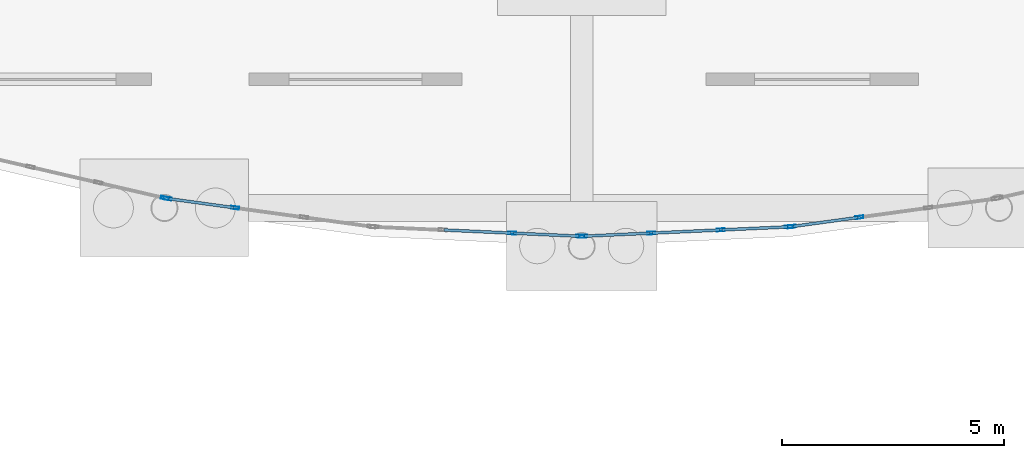
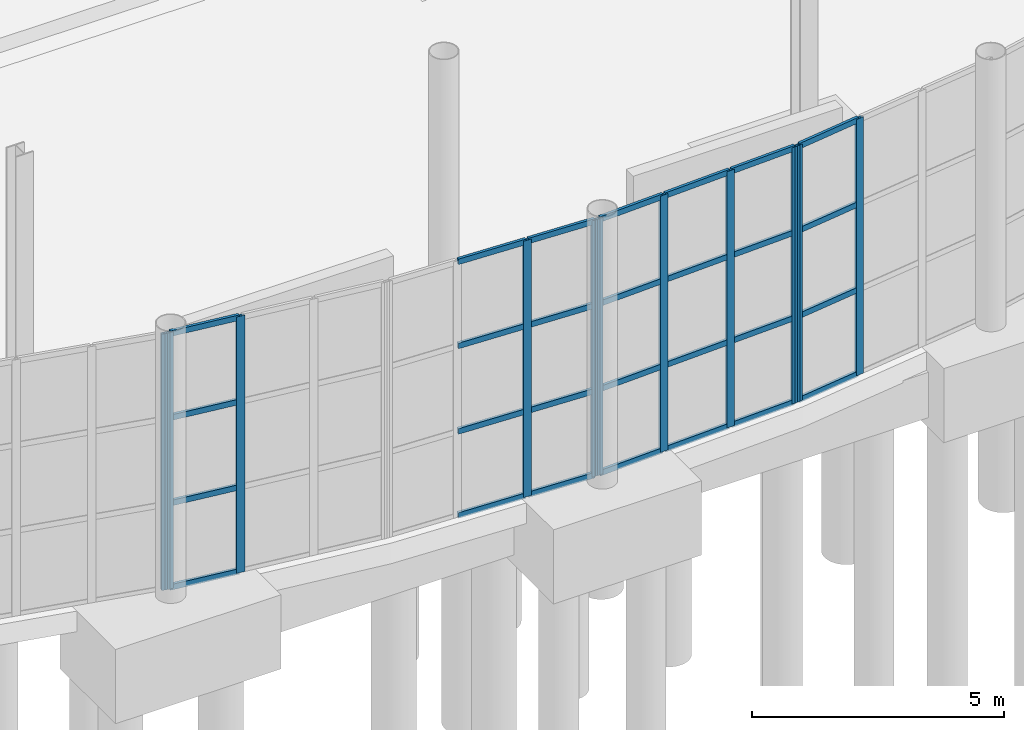
# One storey, part 43 of 115: 39 members, 5 elements without a shape of their own.
"""IFC4 building model written with IfcOpenShell, lengths in metres."""

from ifc_helpers import new_model, si_unit, direction, frame, origin, origin_2d, place, context, subcontext, project, spatial, hollow_rectangle, extrude, material, layer, layer_set, material_profile, profile_set, type_object, element, aggregate, save


model = new_model("IFC4")

# Units and contexts
model_context = context("Model", 3, precision=1e-05, world=origin(), true_north=direction((0.0, 1.0)))
body_context = subcontext(model_context, "Body", "Model", "MODEL_VIEW")
ifc_project = project(units=[si_unit("LENGTHUNIT", "METRE"), si_unit("AREAUNIT", "SQUARE_METRE"), si_unit("VOLUMEUNIT", "CUBIC_METRE"), si_unit("PLANEANGLEUNIT", "RADIAN"), si_unit("MASSUNIT", "GRAM", prefix="KILO")], contexts=[model_context])

# Site, building, storey
site_placement = place(None, origin())
site = spatial("IfcSite", under=ifc_project, at=site_placement, CompositionType="ELEMENT")
building_placement = place(site_placement, origin())
building = spatial("IfcBuilding", under=site, at=building_placement, Name="Tamarisk Ironworks Central Station", CompositionType="ELEMENT")
storey_placement = place(building_placement, origin())
storey = spatial("IfcBuildingStorey", under=building, at=storey_placement, Name="L00", CompositionType="ELEMENT", Elevation=0.0)

# Curtain wall, member
ifc_material = material(Name="Anodized aluminium alloy 6063-T6", Category="aluminium")
ifc_layer = layer(ifc_material, 0.179931640625)
ifc_layer_set = layer_set([ifc_layer], Name="Anodized aluminium alloy 6063-T6")
curtain_wall_type = type_object("IfcCurtainWallType", Name="CW-01", PredefinedType="USERDEFINED", material=ifc_layer_set)
curtain_wall_1_placement = place(storey_placement, origin())
curtain_wall_1 = element("IfcCurtainWall", 1, at=curtain_wall_1_placement, inside=storey, type_object=curtain_wall_type, Name="SN rounded entrance hall L00 curtain wall bay 04", ObjectType="GLAZED CURTAIN WALL", PredefinedType="USERDEFINED")
ifc_material_profile_1 = material_profile(ifc_material, hollow_rectangle(XDim=0.06494140625, YDim=0.179931640625, WallThickness=0.00390625, at=origin_2d()), Name="ALUM 180x65")
ifc_profile_set_1 = profile_set([ifc_material_profile_1], Name="Anodized aluminium alloy 6063-T6")
member_type_1 = type_object("IfcMemberType", Name="CWM-02", PredefinedType="MULLION", material=ifc_profile_set_1)
member_1_placement = place(storey_placement, frame((71.59765625, 4.3232421875, 0.0), z_axis=(0.0, 0.0, 1.0), x_axis=(0.225516966506, 0.974239240545, 0.0)))
member_1 = element("IfcMember", 2, at=member_1_placement, type_object=member_type_1, Name="CW01 mullion 4", PredefinedType="MULLION", context=body_context, shape_type="SweptSolid", body=[
    extrude(hollow_rectangle(XDim=0.06494140625, YDim=0.179931640625, WallThickness=0.00390625, at=origin_2d()), origin(), (0.0, 0.0, 1.0), 6.219970703125),
])
aggregate(curtain_wall_1, [member_1])

# Curtain wall, members
curtain_wall_2_placement = place(storey_placement, origin())
curtain_wall_2 = element("IfcCurtainWall", 3, at=curtain_wall_2_placement, inside=storey, type_object=curtain_wall_type, Name="SN rounded entrance hall L00 curtain wall bay 05", ObjectType="GLAZED CURTAIN WALL", PredefinedType="USERDEFINED")
member_2_placement = place(storey_placement, frame((71.66162109375, 4.3115234375, 0.0), z_axis=(0.0, 0.0, 1.0), x_axis=(0.136041725218, 0.990703108403, 0.0)))
member_2 = element("IfcMember", 4, at=member_2_placement, type_object=member_type_1, Name="CW01 mullion 1", PredefinedType="MULLION", context=body_context, shape_type="SweptSolid", body=[
    extrude(hollow_rectangle(XDim=0.06494140625, YDim=0.179931640625, WallThickness=0.00390625, at=origin_2d()), origin(), (0.0, 0.0, 1.0), 6.219970703125),
])
member_3_placement = place(storey_placement, frame((73.1845703125, 4.102294921875, 0.0), z_axis=(0.0, 0.0, 1.0), x_axis=(0.136041725218, 0.990703108403, 0.0)))
member_3 = element("IfcMember", 5, at=member_3_placement, type_object=member_type_1, Name="CW01 mullion 2", PredefinedType="MULLION", context=body_context, shape_type="SweptSolid", body=[
    extrude(hollow_rectangle(XDim=0.06494140625, YDim=0.179931640625, WallThickness=0.00390625, at=origin_2d()), origin(), (0.0, 0.0, 1.0), 6.219970703125),
])

curtain_wall_3_placement = place(storey_placement, origin())
curtain_wall_3 = element("IfcCurtainWall", 6, at=curtain_wall_3_placement, inside=storey, type_object=curtain_wall_type, Name="SN rounded entrance hall L00 curtain wall bay 06", ObjectType="GLAZED CURTAIN WALL", PredefinedType="USERDEFINED")
member_4_placement = place(storey_placement, frame((79.431640625, 3.532470703125, 0.0), z_axis=(0.0, 0.0, 1.0), x_axis=(0.045480859558, 0.998965210312, 0.0)))
member_4 = element("IfcMember", 7, at=member_4_placement, type_object=member_type_1, Name="CW01 mullion 3", PredefinedType="MULLION", context=body_context, shape_type="SweptSolid", body=[
    extrude(hollow_rectangle(XDim=0.06494140625, YDim=0.179931640625, WallThickness=0.00390625, at=origin_2d()), origin(), (0.0, 0.0, 1.0), 6.219970703125),
])
member_5_placement = place(storey_placement, frame((80.967529296875, 3.46240234375, 0.0), z_axis=(0.0, 0.0, 1.0), x_axis=(0.045480859558, 0.998965210312, 0.0)))
member_5 = element("IfcMember", 8, at=member_5_placement, type_object=member_type_1, Name="CW01 mullion 4", PredefinedType="MULLION", context=body_context, shape_type="SweptSolid", body=[
    extrude(hollow_rectangle(XDim=0.06494140625, YDim=0.179931640625, WallThickness=0.00390625, at=origin_2d()), origin(), (0.0, 0.0, 1.0), 6.219970703125),
])

curtain_wall_4_placement = place(storey_placement, origin())
curtain_wall_4 = element("IfcCurtainWall", 9, at=curtain_wall_4_placement, inside=storey, type_object=curtain_wall_type, Name="SN rounded entrance hall L00 curtain wall bay 07", ObjectType="GLAZED CURTAIN WALL", PredefinedType="USERDEFINED")
member_6_placement = place(storey_placement, frame((81.032470703125, 3.46240234375, 0.0), z_axis=(0.0, 0.0, 1.0), x_axis=(-0.045480859558, 0.998965210312, 0.0)))
member_6 = element("IfcMember", 10, at=member_6_placement, type_object=member_type_1, Name="CW01 mullion 1", PredefinedType="MULLION", context=body_context, shape_type="SweptSolid", body=[
    extrude(hollow_rectangle(XDim=0.06494140625, YDim=0.179931640625, WallThickness=0.00390625, at=origin_2d()), origin(), (0.0, 0.0, 1.0), 6.219970703125),
])
member_7_placement = place(storey_placement, frame((82.568359375, 3.532470703125, 0.0), z_axis=(0.0, 0.0, 1.0), x_axis=(-0.045480859558, 0.998965210312, 0.0)))
member_7 = element("IfcMember", 11, at=member_7_placement, type_object=member_type_1, Name="CW01 mullion 2", PredefinedType="MULLION", context=body_context, shape_type="SweptSolid", body=[
    extrude(hollow_rectangle(XDim=0.06494140625, YDim=0.179931640625, WallThickness=0.00390625, at=origin_2d()), origin(), (0.0, 0.0, 1.0), 6.219970703125),
])
member_8_placement = place(storey_placement, frame((84.136474609375, 3.603759765625, 0.0), z_axis=(0.0, 0.0, 1.0), x_axis=(-0.045480859558, 0.998965210312, 0.0)))
member_8 = element("IfcMember", 12, at=member_8_placement, type_object=member_type_1, Name="CW01 mullion 3", PredefinedType="MULLION", context=body_context, shape_type="SweptSolid", body=[
    extrude(hollow_rectangle(XDim=0.06494140625, YDim=0.179931640625, WallThickness=0.00390625, at=origin_2d()), origin(), (0.0, 0.0, 1.0), 6.219970703125),
])
member_9_placement = place(storey_placement, frame((85.67236328125, 3.673828125, 0.0), z_axis=(0.0, 0.0, 1.0), x_axis=(-0.045480859558, 0.998965210312, 0.0)))
member_9 = element("IfcMember", 13, at=member_9_placement, type_object=member_type_1, Name="CW01 mullion 4", PredefinedType="MULLION", context=body_context, shape_type="SweptSolid", body=[
    extrude(hollow_rectangle(XDim=0.06494140625, YDim=0.179931640625, WallThickness=0.00390625, at=origin_2d()), origin(), (0.0, 0.0, 1.0), 6.219970703125),
])

curtain_wall_5_placement = place(storey_placement, origin())
curtain_wall_5 = element("IfcCurtainWall", 14, at=curtain_wall_5_placement, inside=storey, type_object=curtain_wall_type, Name="SN rounded entrance hall L00 curtain wall bay 08", ObjectType="GLAZED CURTAIN WALL", PredefinedType="USERDEFINED")
member_10_placement = place(storey_placement, frame((85.737060546875, 3.6796875, 0.0), z_axis=(0.0, 0.0, 1.0), x_axis=(-0.136041725218, 0.990703108403, 0.0)))
member_10 = element("IfcMember", 15, at=member_10_placement, type_object=member_type_1, Name="CW01 mullion 1", PredefinedType="MULLION", context=body_context, shape_type="SweptSolid", body=[
    extrude(hollow_rectangle(XDim=0.06494140625, YDim=0.179931640625, WallThickness=0.00390625, at=origin_2d()), origin(), (0.0, 0.0, 1.0), 6.219970703125),
])
member_11_placement = place(storey_placement, frame((87.260009765625, 3.888671875, 0.0), z_axis=(0.0, 0.0, 1.0), x_axis=(-0.136041725218, 0.990703108403, 0.0)))
member_11 = element("IfcMember", 16, at=member_11_placement, type_object=member_type_1, Name="CW01 mullion 2", PredefinedType="MULLION", context=body_context, shape_type="SweptSolid", body=[
    extrude(hollow_rectangle(XDim=0.06494140625, YDim=0.179931640625, WallThickness=0.00390625, at=origin_2d()), origin(), (0.0, 0.0, 1.0), 6.219970703125),
])

# Member
ifc_material_profile_2 = material_profile(ifc_material, hollow_rectangle(XDim=0.06494140625, YDim=0.135009765625, WallThickness=0.00341796875, at=origin_2d()), Name="ALUM 135x65")
ifc_profile_set_2 = profile_set([ifc_material_profile_2], Name="Anodized aluminium alloy 6063-T6")
member_type_2 = type_object("IfcMemberType", Name="CWT-02", PredefinedType="USERDEFINED", material=ifc_profile_set_2)
member_12_placement = place(storey_placement, frame((71.68994140625, 4.3076171875, 0.032470703125), z_axis=(0.990700249291, -0.136062544642, 0.0), x_axis=(0.136062544642, 0.990700249291, 0.0)))
member_12 = element("IfcMember", 17, at=member_12_placement, type_object=member_type_2, Name="CW01 transom 1.1", ObjectType="TRANSOM", PredefinedType="USERDEFINED", context=body_context, shape_type="SweptSolid", body=[
    extrude(hollow_rectangle(XDim=0.06494140625, YDim=0.135009765625, WallThickness=0.00341796875, at=origin_2d()), origin(), (0.0, 0.0, 1.0), 1.480224609375),
])

member_13_placement = place(storey_placement, frame((71.68994140625, 4.3076171875, 2.0732421875), z_axis=(0.990700249291, -0.136062544642, 0.0), x_axis=(0.136062544642, 0.990700249291, 0.0)))
member_13 = element("IfcMember", 18, at=member_13_placement, type_object=member_type_2, Name="CW01 transom 1.2", ObjectType="TRANSOM", PredefinedType="USERDEFINED", context=body_context, shape_type="SweptSolid", body=[
    extrude(hollow_rectangle(XDim=0.06494140625, YDim=0.135009765625, WallThickness=0.00341796875, at=origin_2d()), origin(), (0.0, 0.0, 1.0), 1.480224609375),
])

member_14_placement = place(storey_placement, frame((71.68994140625, 4.3076171875, 4.146728515625), z_axis=(0.990700249291, -0.136062544642, 0.0), x_axis=(0.136062544642, 0.990700249291, 0.0)))
member_14 = element("IfcMember", 19, at=member_14_placement, type_object=member_type_2, Name="CW01 transom 1.3", ObjectType="TRANSOM", PredefinedType="USERDEFINED", context=body_context, shape_type="SweptSolid", body=[
    extrude(hollow_rectangle(XDim=0.06494140625, YDim=0.135009765625, WallThickness=0.00341796875, at=origin_2d()), origin(), (0.0, 0.0, 1.0), 1.480224609375),
])

member_15_placement = place(storey_placement, frame((71.68994140625, 4.3076171875, 6.1875), z_axis=(0.990700249291, -0.136062544642, 0.0), x_axis=(0.136062544642, 0.990700249291, 0.0)))
member_15 = element("IfcMember", 20, at=member_15_placement, type_object=member_type_2, Name="CW01 transom 1.4", ObjectType="TRANSOM", PredefinedType="USERDEFINED", context=body_context, shape_type="SweptSolid", body=[
    extrude(hollow_rectangle(XDim=0.06494140625, YDim=0.135009765625, WallThickness=0.00341796875, at=origin_2d()), origin(), (0.0, 0.0, 1.0), 1.480224609375),
])

aggregate(curtain_wall_2, [member_2, member_3, member_12, member_13, member_14, member_15])

member_16_placement = place(storey_placement, frame((77.891845703125, 3.6025390625, 0.032470703125), z_axis=(0.998964210633, -0.045502811726, 0.0), x_axis=(0.045502811726, 0.998964210633, 0.0)))
member_16 = element("IfcMember", 21, at=member_16_placement, type_object=member_type_2, Name="CW01 transom 2.1", ObjectType="TRANSOM", PredefinedType="USERDEFINED", context=body_context, shape_type="SweptSolid", body=[
    extrude(hollow_rectangle(XDim=0.06494140625, YDim=0.135009765625, WallThickness=0.00341796875, at=origin_2d()), origin(), (0.0, 0.0, 1.0), 1.512939453125),
])

member_17_placement = place(storey_placement, frame((77.891845703125, 3.6025390625, 2.0732421875), z_axis=(0.998964210633, -0.045502811726, 0.0), x_axis=(0.045502811726, 0.998964210633, 0.0)))
member_17 = element("IfcMember", 22, at=member_17_placement, type_object=member_type_2, Name="CW01 transom 2.2", ObjectType="TRANSOM", PredefinedType="USERDEFINED", context=body_context, shape_type="SweptSolid", body=[
    extrude(hollow_rectangle(XDim=0.06494140625, YDim=0.135009765625, WallThickness=0.00341796875, at=origin_2d()), origin(), (0.0, 0.0, 1.0), 1.512939453125),
])

member_18_placement = place(storey_placement, frame((77.891845703125, 3.6025390625, 4.146728515625), z_axis=(0.998964210633, -0.045502811726, 0.0), x_axis=(0.045502811726, 0.998964210633, 0.0)))
member_18 = element("IfcMember", 23, at=member_18_placement, type_object=member_type_2, Name="CW01 transom 2.3", ObjectType="TRANSOM", PredefinedType="USERDEFINED", context=body_context, shape_type="SweptSolid", body=[
    extrude(hollow_rectangle(XDim=0.06494140625, YDim=0.135009765625, WallThickness=0.00341796875, at=origin_2d()), origin(), (0.0, 0.0, 1.0), 1.512939453125),
])

member_19_placement = place(storey_placement, frame((77.891845703125, 3.6025390625, 6.1875), z_axis=(0.998964210633, -0.045502811726, 0.0), x_axis=(0.045502811726, 0.998964210633, 0.0)))
member_19 = element("IfcMember", 24, at=member_19_placement, type_object=member_type_2, Name="CW01 transom 2.4", ObjectType="TRANSOM", PredefinedType="USERDEFINED", context=body_context, shape_type="SweptSolid", body=[
    extrude(hollow_rectangle(XDim=0.06494140625, YDim=0.135009765625, WallThickness=0.00341796875, at=origin_2d()), origin(), (0.0, 0.0, 1.0), 1.512939453125),
])

member_20_placement = place(storey_placement, frame((79.460205078125, 3.531005859375, 0.032470703125), z_axis=(0.998970919247, -0.045355291859, 0.0), x_axis=(0.045355291859, 0.998970919247, 0.0)))
member_20 = element("IfcMember", 25, at=member_20_placement, type_object=member_type_2, Name="CW01 transom 3.1", ObjectType="TRANSOM", PredefinedType="USERDEFINED", context=body_context, shape_type="SweptSolid", body=[
    extrude(hollow_rectangle(XDim=0.06494140625, YDim=0.135009765625, WallThickness=0.00341796875, at=origin_2d()), origin(), (0.0, 0.0, 1.0), 1.480224609375),
])

member_21_placement = place(storey_placement, frame((79.460205078125, 3.531005859375, 2.0732421875), z_axis=(0.998970919247, -0.045355291859, 0.0), x_axis=(0.045355291859, 0.998970919247, 0.0)))
member_21 = element("IfcMember", 26, at=member_21_placement, type_object=member_type_2, Name="CW01 transom 3.2", ObjectType="TRANSOM", PredefinedType="USERDEFINED", context=body_context, shape_type="SweptSolid", body=[
    extrude(hollow_rectangle(XDim=0.06494140625, YDim=0.135009765625, WallThickness=0.00341796875, at=origin_2d()), origin(), (0.0, 0.0, 1.0), 1.480224609375),
])

member_22_placement = place(storey_placement, frame((79.460205078125, 3.531005859375, 4.146728515625), z_axis=(0.998970919247, -0.045355291859, 0.0), x_axis=(0.045355291859, 0.998970919247, 0.0)))
member_22 = element("IfcMember", 27, at=member_22_placement, type_object=member_type_2, Name="CW01 transom 3.3", ObjectType="TRANSOM", PredefinedType="USERDEFINED", context=body_context, shape_type="SweptSolid", body=[
    extrude(hollow_rectangle(XDim=0.06494140625, YDim=0.135009765625, WallThickness=0.00341796875, at=origin_2d()), origin(), (0.0, 0.0, 1.0), 1.480224609375),
])

member_23_placement = place(storey_placement, frame((79.460205078125, 3.531005859375, 6.1875), z_axis=(0.998970919247, -0.045355291859, 0.0), x_axis=(0.045355291859, 0.998970919247, 0.0)))
member_23 = element("IfcMember", 28, at=member_23_placement, type_object=member_type_2, Name="CW01 transom 3.4", ObjectType="TRANSOM", PredefinedType="USERDEFINED", context=body_context, shape_type="SweptSolid", body=[
    extrude(hollow_rectangle(XDim=0.06494140625, YDim=0.135009765625, WallThickness=0.00341796875, at=origin_2d()), origin(), (0.0, 0.0, 1.0), 1.480224609375),
])

aggregate(curtain_wall_3, [member_4, member_5, member_16, member_17, member_18, member_19, member_20, member_21, member_22, member_23])

member_24_placement = place(storey_placement, frame((81.06103515625, 3.4638671875, 0.032470703125), z_axis=(0.998970919247, 0.045355291859, 0.0), x_axis=(-0.045355291859, 0.998970919247, 0.0)))
member_24 = element("IfcMember", 29, at=member_24_placement, type_object=member_type_2, Name="CW01 transom 1.1", ObjectType="TRANSOM", PredefinedType="USERDEFINED", context=body_context, shape_type="SweptSolid", body=[
    extrude(hollow_rectangle(XDim=0.06494140625, YDim=0.135009765625, WallThickness=0.00341796875, at=origin_2d()), origin(), (0.0, 0.0, 1.0), 1.480224609375),
])

member_25_placement = place(storey_placement, frame((81.06103515625, 3.4638671875, 2.0732421875), z_axis=(0.998970919247, 0.045355291859, 0.0), x_axis=(-0.045355291859, 0.998970919247, 0.0)))
member_25 = element("IfcMember", 30, at=member_25_placement, type_object=member_type_2, Name="CW01 transom 1.2", ObjectType="TRANSOM", PredefinedType="USERDEFINED", context=body_context, shape_type="SweptSolid", body=[
    extrude(hollow_rectangle(XDim=0.06494140625, YDim=0.135009765625, WallThickness=0.00341796875, at=origin_2d()), origin(), (0.0, 0.0, 1.0), 1.480224609375),
])

member_26_placement = place(storey_placement, frame((81.06103515625, 3.4638671875, 4.146728515625), z_axis=(0.998970919247, 0.045355291859, 0.0), x_axis=(-0.045355291859, 0.998970919247, 0.0)))
member_26 = element("IfcMember", 31, at=member_26_placement, type_object=member_type_2, Name="CW01 transom 1.3", ObjectType="TRANSOM", PredefinedType="USERDEFINED", context=body_context, shape_type="SweptSolid", body=[
    extrude(hollow_rectangle(XDim=0.06494140625, YDim=0.135009765625, WallThickness=0.00341796875, at=origin_2d()), origin(), (0.0, 0.0, 1.0), 1.480224609375),
])

member_27_placement = place(storey_placement, frame((81.06103515625, 3.4638671875, 6.1875), z_axis=(0.998970919247, 0.045355291859, 0.0), x_axis=(-0.045355291859, 0.998970919247, 0.0)))
member_27 = element("IfcMember", 32, at=member_27_placement, type_object=member_type_2, Name="CW01 transom 1.4", ObjectType="TRANSOM", PredefinedType="USERDEFINED", context=body_context, shape_type="SweptSolid", body=[
    extrude(hollow_rectangle(XDim=0.06494140625, YDim=0.135009765625, WallThickness=0.00341796875, at=origin_2d()), origin(), (0.0, 0.0, 1.0), 1.480224609375),
])

member_28_placement = place(storey_placement, frame((82.5966796875, 3.53369140625, 0.032470703125), z_axis=(0.998964210633, 0.045502811726, 0.0), x_axis=(-0.045502811726, 0.998964210633, 0.0)))
member_28 = element("IfcMember", 33, at=member_28_placement, type_object=member_type_2, Name="CW01 transom 2.1", ObjectType="TRANSOM", PredefinedType="USERDEFINED", context=body_context, shape_type="SweptSolid", body=[
    extrude(hollow_rectangle(XDim=0.06494140625, YDim=0.135009765625, WallThickness=0.00341796875, at=origin_2d()), origin(), (0.0, 0.0, 1.0), 1.512939453125),
])

member_29_placement = place(storey_placement, frame((82.5966796875, 3.53369140625, 2.0732421875), z_axis=(0.998964210633, 0.045502811726, 0.0), x_axis=(-0.045502811726, 0.998964210633, 0.0)))
member_29 = element("IfcMember", 34, at=member_29_placement, type_object=member_type_2, Name="CW01 transom 2.2", ObjectType="TRANSOM", PredefinedType="USERDEFINED", context=body_context, shape_type="SweptSolid", body=[
    extrude(hollow_rectangle(XDim=0.06494140625, YDim=0.135009765625, WallThickness=0.00341796875, at=origin_2d()), origin(), (0.0, 0.0, 1.0), 1.512939453125),
])

member_30_placement = place(storey_placement, frame((82.5966796875, 3.53369140625, 4.146728515625), z_axis=(0.998964210633, 0.045502811726, 0.0), x_axis=(-0.045502811726, 0.998964210633, 0.0)))
member_30 = element("IfcMember", 35, at=member_30_placement, type_object=member_type_2, Name="CW01 transom 2.3", ObjectType="TRANSOM", PredefinedType="USERDEFINED", context=body_context, shape_type="SweptSolid", body=[
    extrude(hollow_rectangle(XDim=0.06494140625, YDim=0.135009765625, WallThickness=0.00341796875, at=origin_2d()), origin(), (0.0, 0.0, 1.0), 1.512939453125),
])

member_31_placement = place(storey_placement, frame((82.5966796875, 3.53369140625, 6.1875), z_axis=(0.998964210633, 0.045502811726, 0.0), x_axis=(-0.045502811726, 0.998964210633, 0.0)))
member_31 = element("IfcMember", 36, at=member_31_placement, type_object=member_type_2, Name="CW01 transom 2.4", ObjectType="TRANSOM", PredefinedType="USERDEFINED", context=body_context, shape_type="SweptSolid", body=[
    extrude(hollow_rectangle(XDim=0.06494140625, YDim=0.135009765625, WallThickness=0.00341796875, at=origin_2d()), origin(), (0.0, 0.0, 1.0), 1.512939453125),
])

member_32_placement = place(storey_placement, frame((84.1650390625, 3.60498046875, 0.032470703125), z_axis=(0.998963433069, 0.04551987907, 0.0), x_axis=(-0.04551987907, 0.998963433069, 0.0)))
member_32 = element("IfcMember", 37, at=member_32_placement, type_object=member_type_2, Name="CW01 transom 3.1", ObjectType="TRANSOM", PredefinedType="USERDEFINED", context=body_context, shape_type="SweptSolid", body=[
    extrude(hollow_rectangle(XDim=0.06494140625, YDim=0.135009765625, WallThickness=0.00341796875, at=origin_2d()), origin(), (0.0, 0.0, 1.0), 1.480224609375),
])

member_33_placement = place(storey_placement, frame((84.1650390625, 3.60498046875, 2.0732421875), z_axis=(0.998963433069, 0.04551987907, 0.0), x_axis=(-0.04551987907, 0.998963433069, 0.0)))
member_33 = element("IfcMember", 38, at=member_33_placement, type_object=member_type_2, Name="CW01 transom 3.2", ObjectType="TRANSOM", PredefinedType="USERDEFINED", context=body_context, shape_type="SweptSolid", body=[
    extrude(hollow_rectangle(XDim=0.06494140625, YDim=0.135009765625, WallThickness=0.00341796875, at=origin_2d()), origin(), (0.0, 0.0, 1.0), 1.480224609375),
])

member_34_placement = place(storey_placement, frame((84.1650390625, 3.60498046875, 4.146728515625), z_axis=(0.998963433069, 0.04551987907, 0.0), x_axis=(-0.04551987907, 0.998963433069, 0.0)))
member_34 = element("IfcMember", 39, at=member_34_placement, type_object=member_type_2, Name="CW01 transom 3.3", ObjectType="TRANSOM", PredefinedType="USERDEFINED", context=body_context, shape_type="SweptSolid", body=[
    extrude(hollow_rectangle(XDim=0.06494140625, YDim=0.135009765625, WallThickness=0.00341796875, at=origin_2d()), origin(), (0.0, 0.0, 1.0), 1.480224609375),
])

member_35_placement = place(storey_placement, frame((84.1650390625, 3.60498046875, 6.1875), z_axis=(0.998963433069, 0.04551987907, 0.0), x_axis=(-0.04551987907, 0.998963433069, 0.0)))
member_35 = element("IfcMember", 40, at=member_35_placement, type_object=member_type_2, Name="CW01 transom 3.4", ObjectType="TRANSOM", PredefinedType="USERDEFINED", context=body_context, shape_type="SweptSolid", body=[
    extrude(hollow_rectangle(XDim=0.06494140625, YDim=0.135009765625, WallThickness=0.00341796875, at=origin_2d()), origin(), (0.0, 0.0, 1.0), 1.480224609375),
])

aggregate(curtain_wall_4, [member_6, member_7, member_8, member_9, member_24, member_25, member_26, member_27, member_28, member_29, member_30, member_31, member_32, member_33, member_34, member_35])

member_36_placement = place(storey_placement, frame((85.76513671875, 3.68359375, 0.032470703125), z_axis=(0.990703301789, 0.136040316907, 0.0), x_axis=(-0.136040316907, 0.990703301789, 0.0)))
member_36 = element("IfcMember", 41, at=member_36_placement, type_object=member_type_2, Name="CW01 transom 1.1", ObjectType="TRANSOM", PredefinedType="USERDEFINED", context=body_context, shape_type="SweptSolid", body=[
    extrude(hollow_rectangle(XDim=0.06494140625, YDim=0.135009765625, WallThickness=0.00341796875, at=origin_2d()), origin(), (0.0, 0.0, 1.0), 1.48046875),
])

member_37_placement = place(storey_placement, frame((85.76513671875, 3.68359375, 2.0732421875), z_axis=(0.990703301789, 0.136040316907, 0.0), x_axis=(-0.136040316907, 0.990703301789, 0.0)))
member_37 = element("IfcMember", 42, at=member_37_placement, type_object=member_type_2, Name="CW01 transom 1.2", ObjectType="TRANSOM", PredefinedType="USERDEFINED", context=body_context, shape_type="SweptSolid", body=[
    extrude(hollow_rectangle(XDim=0.06494140625, YDim=0.135009765625, WallThickness=0.00341796875, at=origin_2d()), origin(), (0.0, 0.0, 1.0), 1.48046875),
])

member_38_placement = place(storey_placement, frame((85.76513671875, 3.68359375, 4.146728515625), z_axis=(0.990703301789, 0.136040316907, 0.0), x_axis=(-0.136040316907, 0.990703301789, 0.0)))
member_38 = element("IfcMember", 43, at=member_38_placement, type_object=member_type_2, Name="CW01 transom 1.3", ObjectType="TRANSOM", PredefinedType="USERDEFINED", context=body_context, shape_type="SweptSolid", body=[
    extrude(hollow_rectangle(XDim=0.06494140625, YDim=0.135009765625, WallThickness=0.00341796875, at=origin_2d()), origin(), (0.0, 0.0, 1.0), 1.48046875),
])

member_39_placement = place(storey_placement, frame((85.76513671875, 3.68359375, 6.1875), z_axis=(0.990703301789, 0.136040316907, 0.0), x_axis=(-0.136040316907, 0.990703301789, 0.0)))
member_39 = element("IfcMember", 44, at=member_39_placement, type_object=member_type_2, Name="CW01 transom 1.4", ObjectType="TRANSOM", PredefinedType="USERDEFINED", context=body_context, shape_type="SweptSolid", body=[
    extrude(hollow_rectangle(XDim=0.06494140625, YDim=0.135009765625, WallThickness=0.00341796875, at=origin_2d()), origin(), (0.0, 0.0, 1.0), 1.48046875),
])

aggregate(curtain_wall_5, [member_10, member_11, member_36, member_37, member_38, member_39])

save(model, "model.ifc")
